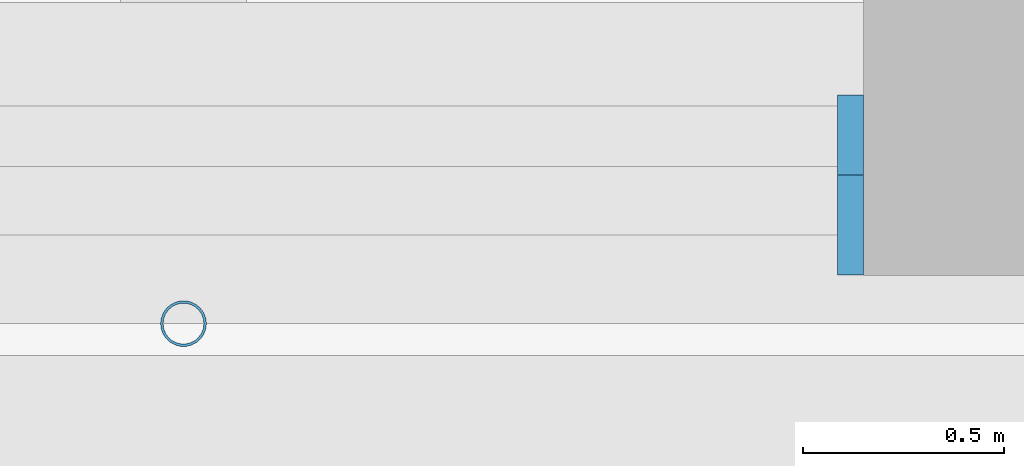
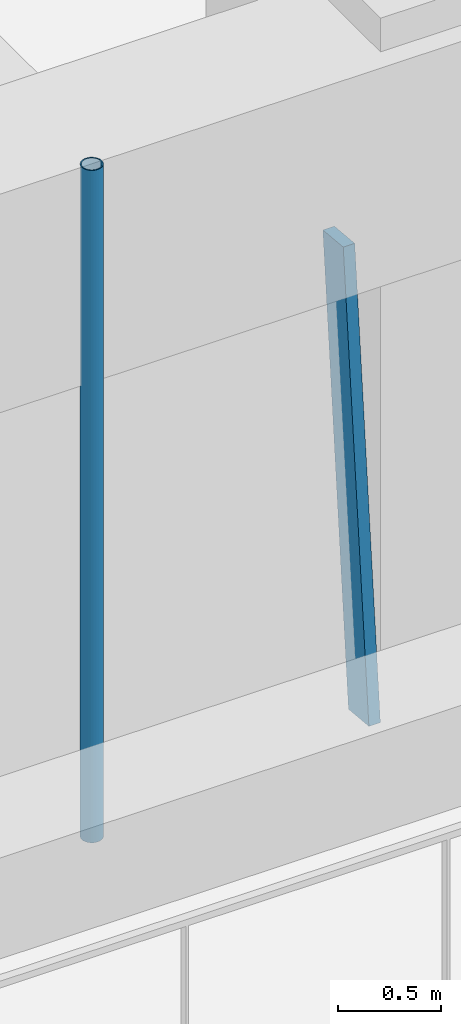
# One storey, part 4 of 23: 2 members, 1 element without a shape of its own.
"""IFC4 building model written with IfcOpenShell, lengths in metres."""

from ifc_helpers import new_model, si_unit, direction, frame, origin, origin_2d, place, context, subcontext, project, spatial, rectangle, hollow_circle, extrude, material, material_profile, profile_set, type_object, element, aggregate, save


model = new_model("IFC4")

# Units and contexts
model_context = context("Model", 3, precision=1e-05, world=origin(), true_north=direction((0.0, 1.0)))
body_context = subcontext(model_context, "Body", "Model", "MODEL_VIEW")
ifc_project = project(units=[si_unit("LENGTHUNIT", "METRE"), si_unit("AREAUNIT", "SQUARE_METRE"), si_unit("VOLUMEUNIT", "CUBIC_METRE"), si_unit("PLANEANGLEUNIT", "RADIAN"), si_unit("MASSUNIT", "GRAM", prefix="KILO")], contexts=[model_context])

# Site, building, storey
site_placement = place(None, origin())
site = spatial("IfcSite", under=ifc_project, at=site_placement, CompositionType="ELEMENT")
building_placement = place(site_placement, origin())
building = spatial("IfcBuilding", under=site, at=building_placement, Name="Tarfa Lantern Tower", CompositionType="ELEMENT")
storey_placement = place(building_placement, frame((0.0, 0.0, 82.300048828125)))
storey = spatial("IfcBuildingStorey", under=building, at=storey_placement, Name="L18", CompositionType="ELEMENT", Elevation=82.300048828125)

# Curtain wall, member
ifc_material_1 = material(Name="Aluminium framed curtain wall", Category="aluminium")
curtain_wall_type = type_object("IfcCurtainWallType", Name="CW1 CANTED GLAZING LOW ZONE 2700", PredefinedType="USERDEFINED", material=ifc_material_1)
curtain_wall_placement = place(storey_placement, origin())
curtain_wall = element("IfcCurtainWall", 1, at=curtain_wall_placement, inside=storey, type_object=curtain_wall_type, Name="CW1 S L18", ObjectType="CURTAIN WALL", PredefinedType="USERDEFINED")
ifc_material_2 = material(Name="Aluminium mullion", Category="aluminium")
ifc_material_profile_1 = material_profile(ifc_material_2, rectangle(XDim=0.06494140625, YDim=0.199951171875, at=origin_2d()), Name="AL MULLION 65x200")
ifc_profile_set_1 = profile_set([ifc_material_profile_1], Name="Aluminium mullion")
member_type_1 = type_object("IfcMemberType", Name="CWM1 MULLION 65x200", PredefinedType="MULLION", material=ifc_profile_set_1)
member_1_placement = place(storey_placement, frame((9.74462890625, -33.89990234375, 0.0), z_axis=(0.0, 0.092199863775, 0.995740520979), x_axis=(-1.0, 0.0, 0.0)))
member_1 = element("IfcMember", 2, at=member_1_placement, type_object=member_type_1, Name="CW1 mullion 2", PredefinedType="MULLION", context=body_context, shape_type="SweptSolid", body=[
    extrude(rectangle(XDim=0.06494140625, YDim=0.199951171875, at=origin_2d()), origin(), (0.0, 0.0, 1.0), 2.71142578125),
])
aggregate(curtain_wall, [member_1])

# Member
ifc_material_3 = material(Name="Steel S355", Category="steel")
ifc_material_profile_2 = material_profile(ifc_material_3, hollow_circle(Radius=0.05712890625, WallThickness=0.00634765625, at=origin_2d()), Name="CHS114.3x6.3")
ifc_profile_set_2 = profile_set([ifc_material_profile_2], Name="Steel S355")
member_type_2 = type_object("IfcMemberType", Name="TR1 GREEN WALL TRELLIS CHS114.3x6.3", PredefinedType="USERDEFINED", material=ifc_profile_set_2)
member_2_placement = place(storey_placement, frame((8.0830078125, -34.1201171875, 0.0), z_axis=(0.0, 0.0, 1.0), x_axis=(1.0, 0.0, 0.0)))
element("IfcMember", 3, at=member_2_placement, inside=storey, type_object=member_type_2, Name="Trellis post S 2", ObjectType="TRELLIS", PredefinedType="USERDEFINED", context=body_context, shape_type="SweptSolid", body=[
    extrude(hollow_circle(Radius=0.05712890625, WallThickness=0.00634765625, at=origin_2d()), origin(), (0.0, 0.0, 1.0), 4.0),
])

save(model, "model.ifc")
